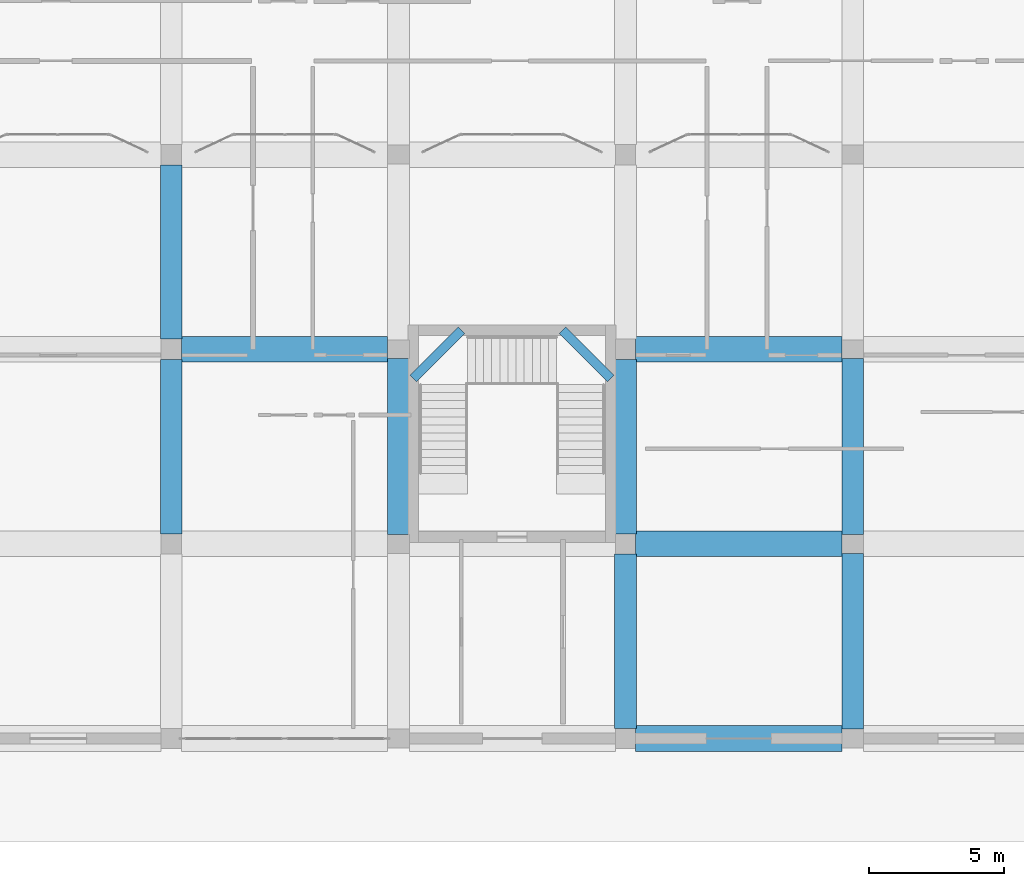
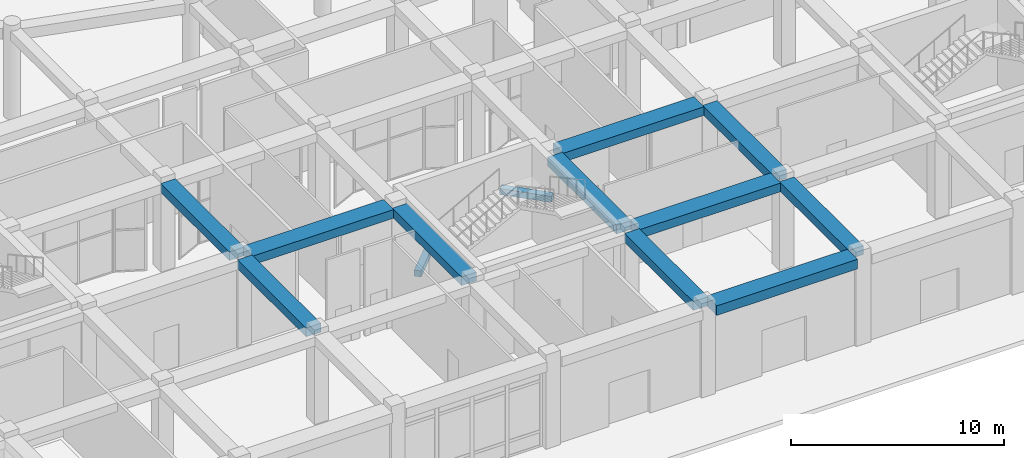
# One storey, part 9 of 84: 13 beams.
"""IFC4 building model written with IfcOpenShell, lengths in metres."""

from ifc_helpers import new_model, si_unit, derived_unit, direction, frame, origin, origin_2d, place, context, subcontext, project, spatial, rectangle, extrude, material, material_profile, profile_set, type_object, element, save


model = new_model("IFC4")

# Units and contexts
model_context = context("Model", 3, precision=1e-05, world=origin(), true_north=direction((0.0, 1.0)))
body_context = subcontext(model_context, "Body", "Model", "MODEL_VIEW")
ifc_project = project(units=[si_unit("LENGTHUNIT", "METRE"), si_unit("AREAUNIT", "SQUARE_METRE"), si_unit("VOLUMEUNIT", "CUBIC_METRE"), si_unit("PLANEANGLEUNIT", "RADIAN"), si_unit("MASSUNIT", "GRAM", prefix="KILO"), derived_unit("THERMALTRANSMITTANCEUNIT", [(si_unit("POWERUNIT", "WATT"), 1), (si_unit("LENGTHUNIT", "METRE"), -2), (si_unit("THERMODYNAMICTEMPERATUREUNIT", "KELVIN"), -1)])], contexts=[model_context])

# Site, building, storey
site_placement = place(None, origin())
site = spatial("IfcSite", under=ifc_project, at=site_placement, CompositionType="ELEMENT")
building_placement = place(site_placement, origin())
building = spatial("IfcBuilding", under=site, at=building_placement, Name="Veybourne Emporium", CompositionType="ELEMENT")
storey_placement = place(building_placement, origin())
storey = spatial("IfcBuildingStorey", under=building, at=storey_placement, Name="L00", CompositionType="ELEMENT", Elevation=0.0)

# Beams
ifc_material = material(Name="Concrete C32/40", Category="concrete")
ifc_material_profile_1 = material_profile(ifc_material, rectangle(XDim=0.35009765625, YDim=0.35009765625, at=origin_2d()), Name="RC 350x350")
ifc_profile_set_1 = profile_set([ifc_material_profile_1], Name="Concrete C32/40")
beam_type_1 = type_object("IfcBeamType", Name="LandingBeam_LB-01", PredefinedType="BEAM", material=ifc_profile_set_1)
for number, where, z_axis, x_axis, name in (
    (1, (76.14990234375, 13.320068359375, 1.445068359375), (0.707106781187, 0.707106781187, 0.0), (-0.707106781187, 0.707106781187, 0.0), "L00 ST-10 landing 1 support beam"),
    (2, (81.669921875, 15.10009765625, 3.2451171875), (0.707106781187, -0.707106781187, 0.0), (0.707106781187, 0.707106781187, 0.0), "L00 ST-10 landing 2 support beam"),
):
    element("IfcBeam", number, at=place(storey_placement, frame(where, z_axis=z_axis, x_axis=x_axis)), inside=storey, type_object=beam_type_1, Name=name, PredefinedType="BEAM", context=body_context, shape_type="SweptSolid", body=[
        extrude(rectangle(XDim=0.35009765625, YDim=0.35009765625, at=origin_2d()), origin(), (0.0, 0.0, 1.0), 2.517333984375),
    ])
ifc_material_profile_2 = material_profile(ifc_material, rectangle(XDim=0.949951171875, YDim=0.5, at=origin_2d()), Name="RC 950x500")
ifc_profile_set_2 = profile_set([ifc_material_profile_2], Name="Concrete C32/40")
beam_type_2 = type_object("IfcBeamType", Name="RCBeam_BB-01", PredefinedType="BEAM", material=ifc_profile_set_2)
for number, where, z_axis, x_axis, name in (
    (3, (67.574951171875, 14.39990234375, 4.830078125), (1.0, 0.0, 0.0), (0.0, 1.0, 0.0), "L00 X-grid beam BB-01 (8,2)"),
    (4, (84.375, 7.199951171875, 4.830078125), (1.0, 0.0, 0.0), (0.0, 1.0, 0.0), "L00 X-grid beam BB-01 (10,1)"),
    (5, (84.375, 14.39990234375, 4.830078125), (1.0, 0.0, 0.0), (0.0, 1.0, 0.0), "L00 X-grid beam BB-01 (10,2)"),
):
    element("IfcBeam", number, at=place(storey_placement, frame(where, z_axis=z_axis, x_axis=x_axis)), inside=storey, type_object=beam_type_2, Name=name, PredefinedType="BEAM", context=body_context, shape_type="SweptSolid", body=[
        extrude(rectangle(XDim=0.949951171875, YDim=0.5, at=origin_2d()), origin(), (0.0, 0.0, 1.0), 7.625),
    ])
ifc_material_profile_3 = material_profile(ifc_material, rectangle(XDim=0.800048828125, YDim=0.5, at=origin_2d()), Name="RC 800x500")
ifc_profile_set_3 = profile_set([ifc_material_profile_3], Name="Concrete C32/40")
beam_type_3 = type_object("IfcBeamType", Name="RCBeam_BB-02", PredefinedType="BEAM", material=ifc_profile_set_3)
beam_1_placement = place(storey_placement, frame((67.199951171875, 7.574951171875, 4.830078125), z_axis=(0.0, 1.0, 0.0), x_axis=(-1.0, 0.0, 0.0)))
element("IfcBeam", 6, at=beam_1_placement, inside=storey, type_object=beam_type_3, Name="L00 Y-grid beam BB-02 (8,1)", PredefinedType="BEAM", context=body_context, shape_type="SweptSolid", body=[
    extrude(rectangle(XDim=0.800048828125, YDim=0.5, at=origin_2d()), origin(), (0.0, 0.0, 1.0), 6.449951171875),
])
beam_2_placement = place(storey_placement, frame((67.199951171875, 14.77490234375, 4.830078125), z_axis=(0.0, 1.0, 0.0), x_axis=(-1.0, 0.0, 0.0)))
element("IfcBeam", 7, at=beam_2_placement, inside=storey, type_object=beam_type_3, Name="L00 Y-grid beam BB-02 (8,2)", PredefinedType="BEAM", context=body_context, shape_type="SweptSolid", body=[
    extrude(rectangle(XDim=0.800048828125, YDim=0.5, at=origin_2d()), origin(), (0.0, 0.0, 1.0), 6.4501953125),
])
beam_3_placement = place(storey_placement, frame((75.60009765625, 7.550048828125, 4.830078125), z_axis=(0.0, 1.0, 0.0), x_axis=(-1.0, 0.0, 0.0)))
element("IfcBeam", 8, at=beam_3_placement, inside=storey, type_object=beam_type_3, Name="L00 Y-grid beam BB-02 (9,1)", PredefinedType="BEAM", context=body_context, shape_type="SweptSolid", body=[
    extrude(rectangle(XDim=0.800048828125, YDim=0.5, at=origin_2d()), origin(), (0.0, 0.0, 1.0), 6.5),
])
for number, where, z_axis, x_axis, name in (
    (9, (84.0, 0.375, 4.830078125), (0.0, 1.0, 0.0), (-1.0, 0.0, 0.0), "L00 Y-grid beam BB-02 (10,0)"),
    (10, (84.0, 7.574951171875, 4.830078125), (0.0, 1.0, 0.0), (-1.0, 0.0, 0.0), "L00 Y-grid beam BB-02 (10,1)"),
):
    element("IfcBeam", number, at=place(storey_placement, frame(where, z_axis=z_axis, x_axis=x_axis)), inside=storey, type_object=beam_type_3, Name=name, PredefinedType="BEAM", context=body_context, shape_type="SweptSolid", body=[
        extrude(rectangle(XDim=0.800048828125, YDim=0.5, at=origin_2d()), origin(), (0.0, 0.0, 1.0), 6.449951171875),
    ])
for number, where, z_axis, x_axis, name in (
    (11, (92.39990234375, 0.35009765625, 4.830078125), (0.0, 1.0, 0.0), (-1.0, 0.0, 0.0), "L00 Y-grid beam BB-02 (11,0)"),
    (12, (92.39990234375, 7.550048828125, 4.830078125), (0.0, 1.0, 0.0), (-1.0, 0.0, 0.0), "L00 Y-grid beam BB-02 (11,1)"),
):
    element("IfcBeam", number, at=place(storey_placement, frame(where, z_axis=z_axis, x_axis=x_axis)), inside=storey, type_object=beam_type_3, Name=name, PredefinedType="BEAM", context=body_context, shape_type="SweptSolid", body=[
        extrude(rectangle(XDim=0.800048828125, YDim=0.5, at=origin_2d()), origin(), (0.0, 0.0, 1.0), 6.5),
    ])
ifc_material_profile_4 = material_profile(ifc_material, rectangle(XDim=0.949951171875, YDim=0.550048828125, at=origin_2d()), Name="RC 950x550")
ifc_profile_set_4 = profile_set([ifc_material_profile_4], Name="Concrete C32/40")
beam_type_4 = type_object("IfcBeamType", Name="RCBeam_EB-01", PredefinedType="SPANDREL", material=ifc_profile_set_4)
beam_4_placement = place(storey_placement, frame((84.375, 0.0, 4.804931640625), z_axis=(1.0, 0.0, 0.0), x_axis=(0.0, 1.0, 0.0)))
element("IfcBeam", 13, at=beam_4_placement, inside=storey, type_object=beam_type_4, Name="L00 X-grid beam EB-01 (10,0)", PredefinedType="SPANDREL", context=body_context, shape_type="SweptSolid", body=[
    extrude(rectangle(XDim=0.949951171875, YDim=0.550048828125, at=origin_2d()), origin(), (0.0, 0.0, 1.0), 7.625),
])

save(model, "model.ifc")
